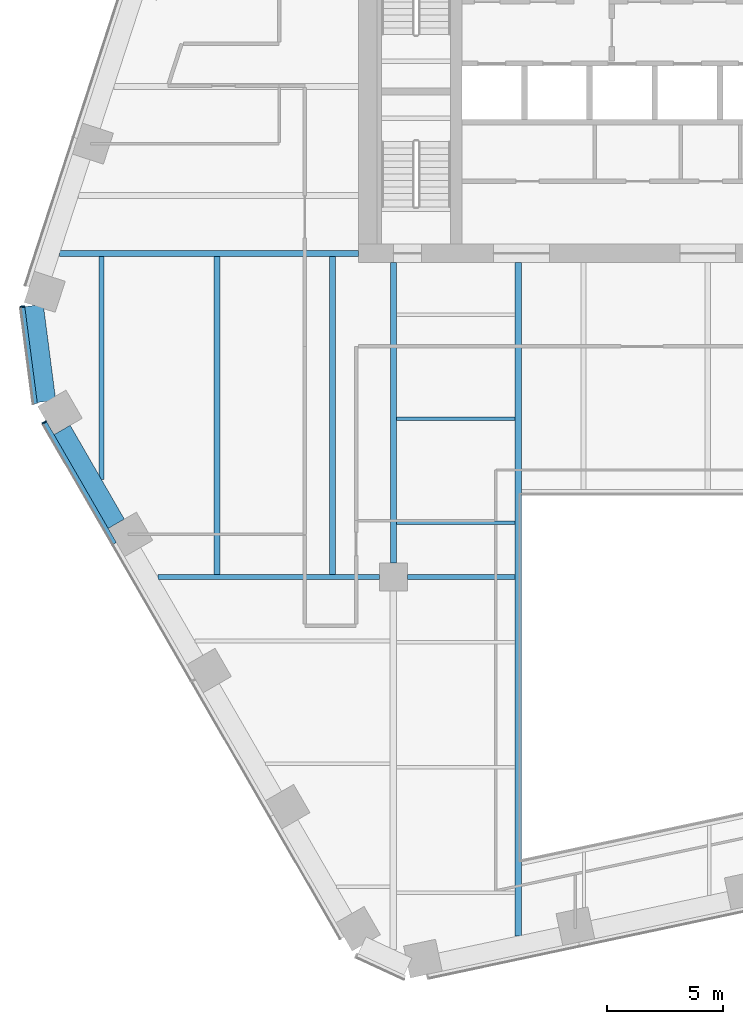
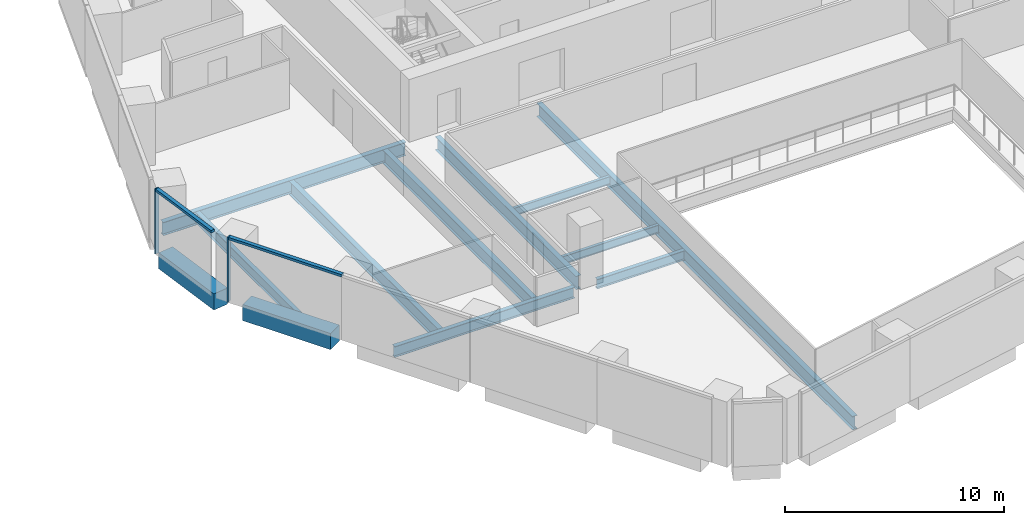
# One storey, part 3 of 16: 12 beams, 4 members, 2 elements without a shape of their own.
"""IFC4 building model written with IfcOpenShell, lengths in metres."""

from ifc_helpers import new_model, si_unit, direction, frame, origin, origin_2d, place, context, subcontext, project, spatial, rectangle, i_section, extrude, material, layer, layer_set, material_profile, profile_set, type_object, element, aggregate, save


model = new_model("IFC4")

# Units and contexts
model_context = context("Model", 3, precision=1e-05, world=origin(), true_north=direction((0.0, 1.0)))
body_context = subcontext(model_context, "Body", "Model", "MODEL_VIEW")
ifc_project = project(units=[si_unit("LENGTHUNIT", "METRE"), si_unit("AREAUNIT", "SQUARE_METRE"), si_unit("VOLUMEUNIT", "CUBIC_METRE"), si_unit("PLANEANGLEUNIT", "RADIAN"), si_unit("MASSUNIT", "GRAM", prefix="KILO")], contexts=[model_context])

# Site, building, storey
site_placement = place(None, origin())
site = spatial("IfcSite", under=ifc_project, at=site_placement, CompositionType="ELEMENT")
building_placement = place(site_placement, origin())
building = spatial("IfcBuilding", under=site, at=building_placement, Name="Isthmus Gate Tower", CompositionType="ELEMENT")
storey_placement = place(building_placement, frame((0.0, 0.0, 148.050048828125)))
storey = spatial("IfcBuildingStorey", under=building, at=storey_placement, Name="L36", CompositionType="ELEMENT", Elevation=148.050048828125)

# Curtain wall, member
ifc_material_1 = material(Name="Aluminium, pale champagne anodised", Category="aluminium")
ifc_layer = layer(ifc_material_1, 0.199951171875)
ifc_layer_set = layer_set([ifc_layer], Name="CW-1 UNITISED CURTAIN WALL 200 DEEP")
curtain_wall_type = type_object("IfcCurtainWallType", Name="CW-1 UNITISED CURTAIN WALL 200 DEEP", PredefinedType="NOTDEFINED", material=ifc_layer_set)
curtain_wall_1_placement = place(storey_placement, origin())
curtain_wall_1 = element("IfcCurtainWall", 1, at=curtain_wall_1_placement, inside=storey, type_object=curtain_wall_type, Name="CW-1 NW-SW L36", PredefinedType="NOTDEFINED")
ifc_material_2 = material(Name="Aluminium, pale champagne anodised", Category="aluminium")
ifc_material_profile_1 = material_profile(ifc_material_2, rectangle(XDim=0.06005859375, YDim=0.199951171875, at=origin_2d()), Name="60x200")
ifc_profile_set_1 = profile_set([ifc_material_profile_1], Name="Aluminium, pale champagne anodised")
member_type_1 = type_object("IfcMemberType", Name="CW-1 MULLION 60 X 200", PredefinedType="MULLION", material=ifc_profile_set_1)
member_1_placement = place(storey_placement, frame((-29.42724609375, -1.88525390625, 0.0), z_axis=(0.0, 0.0, 1.0), x_axis=(0.129164534, -0.991623175988, 0.0)))
member_1 = element("IfcMember", 2, at=member_1_placement, type_object=member_type_1, Name="CW-1 mullion", PredefinedType="MULLION", context=body_context, shape_type="SweptSolid", body=[
    extrude(rectangle(XDim=0.06005859375, YDim=0.199951171875, at=origin_2d()), origin(), (0.0, 0.0, 1.0), 3.64990234375),
])

curtain_wall_2_placement = place(storey_placement, origin())
curtain_wall_2 = element("IfcCurtainWall", 3, at=curtain_wall_2_placement, inside=storey, type_object=curtain_wall_type, Name="CW-1 SW L36", PredefinedType="NOTDEFINED")
member_2_placement = place(storey_placement, frame((-28.489501953125, -6.8544921875, 0.0), z_axis=(0.0, 0.0, 1.0), x_axis=(0.5, -0.866025403784, 0.0)))
member_2 = element("IfcMember", 4, at=member_2_placement, type_object=member_type_1, Name="CW-1 mullion", PredefinedType="MULLION", context=body_context, shape_type="SweptSolid", body=[
    extrude(rectangle(XDim=0.06005859375, YDim=0.199951171875, at=origin_2d()), origin(), (0.0, 0.0, 1.0), 3.64990234375),
])

# Member
ifc_material_3 = material(Name="Aluminium, pale champagne anodised", Category="aluminium")
ifc_material_profile_2 = material_profile(ifc_material_3, rectangle(XDim=0.199951171875, YDim=0.139892578125, at=origin_2d()), Name="200x140")
ifc_profile_set_2 = profile_set([ifc_material_profile_2], Name="Aluminium, pale champagne anodised")
member_type_2 = type_object("IfcMemberType", Name="CW-1 TRANSOM 200 X 140", PredefinedType="USERDEFINED", material=ifc_profile_set_2)
member_3_placement = place(storey_placement, frame((-29.42333984375, -1.9150390625, 3.579833984375), z_axis=(0.129149481977, -0.991625136483, 0.0), x_axis=(0.991625136483, 0.129149481977, 0.0)))
member_3 = element("IfcMember", 5, at=member_3_placement, type_object=member_type_2, Name="CW-1 transom", ObjectType="TRANSOM", PredefinedType="USERDEFINED", context=body_context, shape_type="SweptSolid", body=[
    extrude(rectangle(XDim=0.199951171875, YDim=0.139892578125, at=origin_2d()), origin(), (0.0, 0.0, 1.0), 4.181396484375),
])

aggregate(curtain_wall_1, [member_1, member_3])

member_4_placement = place(storey_placement, frame((-28.474609375, -6.880615234375, 3.579833984375), z_axis=(0.500014106551, -0.86601725921, 0.0), x_axis=(0.86601725921, 0.500014106551, 0.0)))
member_4 = element("IfcMember", 6, at=member_4_placement, type_object=member_type_2, Name="CW-1 transom", ObjectType="TRANSOM", PredefinedType="USERDEFINED", context=body_context, shape_type="SweptSolid", body=[
    extrude(rectangle(XDim=0.199951171875, YDim=0.139892578125, at=origin_2d()), origin(), (0.0, 0.0, 1.0), 5.989990234375),
])

aggregate(curtain_wall_2, [member_2, member_4])

# Beams
ifc_material_4 = material(Name="Concrete f'c 60 MPa", Category="concrete")
ifc_material_profile_3 = material_profile(ifc_material_4, rectangle(XDim=0.800048828125, YDim=0.89990234375, at=origin_2d()), Name="RC 800X900")
ifc_profile_set_3 = profile_set([ifc_material_profile_3], Name="Concrete f'c 60 MPa")
beam_type_1 = type_object("IfcBeamType", Name="RC SPANDREL 800 X 900", PredefinedType="SPANDREL", material=ifc_profile_set_3)
beam_1_placement = place(storey_placement, frame((-25.396484375, -11.2119140625, -0.449951171875), z_axis=(-0.500023913295, 0.866011596997, 0.0), x_axis=(-0.866011596997, -0.500023913295, 0.0)))
element("IfcBeam", 7, at=beam_1_placement, inside=storey, type_object=beam_type_1, Name="str-spandrel-L36-19", PredefinedType="SPANDREL", context=body_context, shape_type="SweptSolid", body=[
    extrude(rectangle(XDim=0.800048828125, YDim=0.89990234375, at=origin_2d()), origin(), (0.0, 0.0, 1.0), 4.650146484375),
])
beam_2_placement = place(storey_placement, frame((-28.392822265625, -5.955810546875, -0.449951171875), z_axis=(-0.129170777359, 0.991622362735, 0.0), x_axis=(-0.991622362735, -0.129170777359, 0.0)))
element("IfcBeam", 8, at=beam_2_placement, inside=storey, type_object=beam_type_1, Name="str-spandrel-L36-20", PredefinedType="SPANDREL", context=body_context, shape_type="SweptSolid", body=[
    extrude(rectangle(XDim=0.800048828125, YDim=0.89990234375, at=origin_2d()), origin(), (0.0, 0.0, 1.0), 4.15234375),
])
ifc_material_5 = material(Name="Structural steel ASTM A992 Gr 50", Category="steel")
ifc_material_profile_4 = material_profile(ifc_material_5, i_section(OverallWidth=0.15234375, OverallDepth=0.45068359375, WebThickness=0.0078125, FlangeThickness=0.010986328125, at=origin_2d()), Name="W18X35")
ifc_profile_set_4 = profile_set([ifc_material_profile_4], Name="Structural steel ASTM A992 Gr 50")
beam_type_2 = type_object("IfcBeamType", Name="STEEL FLOOR BEAM W18X35", PredefinedType="JOIST", material=ifc_profile_set_4)
for number, where, z_axis, x_axis, name in (
    (9, (-13.3681640625, -11.16259765625, -0.37548828125), (1.0, 0.0, 0.0), (0.0, 1.0, 0.0), "str-beam-L36-04-00"),
    (10, (-13.3681640625, -6.697509765625, -0.37548828125), (1.0, 0.0, 0.0), (0.0, 1.0, 0.0), "str-beam-L36-04-01"),
):
    element("IfcBeam", number, at=place(storey_placement, frame(where, z_axis=z_axis, x_axis=x_axis)), inside=storey, type_object=beam_type_2, Name=name, PredefinedType="JOIST", context=body_context, shape_type="SweptSolid", body=[
        extrude(i_section(OverallWidth=0.15234375, OverallDepth=0.45068359375, WebThickness=0.0078125, FlangeThickness=0.010986328125, at=origin_2d()), origin(), (0.0, 0.0, 1.0), 5.1015625),
    ])
ifc_material_6 = material(Name="Structural steel ASTM A992 Gr 50", Category="steel")
ifc_material_profile_5 = material_profile(ifc_material_6, i_section(OverallWidth=0.228515625, OverallDepth=0.603271484375, WebThickness=0.010986328125, FlangeThickness=0.014404296875, at=origin_2d()), Name="W24X68")
ifc_profile_set_5 = profile_set([ifc_material_profile_5], Name="Structural steel ASTM A992 Gr 50")
beam_type_3 = type_object("IfcBeamType", Name="STEEL FLOOR BEAM W24X68", PredefinedType="JOIST", material=ifc_profile_set_5)
beam_3_placement = place(storey_placement, frame((-26.028564453125, -9.317138671875, -0.45166015625), z_axis=(0.0, 1.0, 0.0), x_axis=(-1.0, 0.0, 0.0)))
element("IfcBeam", 11, at=beam_3_placement, inside=storey, type_object=beam_type_3, Name="str-beam-L36-00-00", PredefinedType="JOIST", context=body_context, shape_type="SweptSolid", body=[
    extrude(i_section(OverallWidth=0.228515625, OverallDepth=0.603271484375, WebThickness=0.010986328125, FlangeThickness=0.014404296875, at=origin_2d()), origin(), (0.0, 0.0, 1.0), 9.58544921875),
])
ifc_material_7 = material(Name="Structural steel ASTM A992 Gr 50", Category="steel")
ifc_material_profile_6 = material_profile(ifc_material_7, i_section(OverallWidth=0.263427734375, OverallDepth=0.749267578125, WebThickness=0.0126953125, FlangeThickness=0.015869140625, at=origin_2d()), Name="W30X90")
ifc_profile_set_6 = profile_set([ifc_material_profile_6], Name="Structural steel ASTM A992 Gr 50")
beam_type_4 = type_object("IfcBeamType", Name="STEEL FLOOR BEAM W30X90", PredefinedType="JOIST", material=ifc_profile_set_6)
for number, where, z_axis, x_axis, name in (
    (12, (-21.06982421875, -13.3857421875, -0.524658203125), (0.0, 1.0, 0.0), (-1.0, 0.0, 0.0), "str-beam-L36-00-01"),
    (13, (-16.111083984375, -13.3857421875, -0.524658203125), (0.0, 1.0, 0.0), (-1.0, 0.0, 0.0), "str-beam-L36-00-02"),
):
    element("IfcBeam", number, at=place(storey_placement, frame(where, z_axis=z_axis, x_axis=x_axis)), inside=storey, type_object=beam_type_4, Name=name, PredefinedType="JOIST", context=body_context, shape_type="SweptSolid", body=[
        extrude(i_section(OverallWidth=0.263427734375, OverallDepth=0.749267578125, WebThickness=0.0126953125, FlangeThickness=0.015869140625, at=origin_2d()), origin(), (0.0, 0.0, 1.0), 13.654052734375),
    ])
ifc_material_8 = material(Name="Structural steel ASTM A992 Gr 50", Category="steel")
ifc_material_profile_7 = material_profile(ifc_material_8, i_section(OverallWidth=0.20947265625, OverallDepth=0.533447265625, WebThickness=0.009521484375, FlangeThickness=0.015869140625, at=origin_2d()), Name="W21X62")
ifc_profile_set_7 = profile_set([ifc_material_profile_7], Name="Structural steel ASTM A992 Gr 50")
beam_type_5 = type_object("IfcBeamType", Name="STEEL GIRDER W21X62", PredefinedType="BEAM", material=ifc_profile_set_7)
beam_4_placement = place(storey_placement, frame((-12.89990234375, -13.5, -0.416748046875), z_axis=(1.0, 0.0, 0.0), x_axis=(0.0, 1.0, 0.0)))
element("IfcBeam", 14, at=beam_4_placement, inside=storey, type_object=beam_type_5, Name="str-girder-L36-02", PredefinedType="BEAM", context=body_context, shape_type="SweptSolid", body=[
    extrude(i_section(OverallWidth=0.20947265625, OverallDepth=0.533447265625, WebThickness=0.009521484375, FlangeThickness=0.015869140625, at=origin_2d()), origin(), (0.0, 0.0, 1.0), 4.63330078125),
])
ifc_material_9 = material(Name="Structural steel ASTM A992 Gr 50", Category="steel")
ifc_material_profile_8 = material_profile(ifc_material_9, i_section(OverallWidth=0.228515625, OverallDepth=0.6064453125, WebThickness=0.010986328125, FlangeThickness=0.017578125, at=origin_2d()), Name="W24X76")
ifc_profile_set_8 = profile_set([ifc_material_profile_8], Name="Structural steel ASTM A992 Gr 50")
beam_type_6 = type_object("IfcBeamType", Name="STEEL GIRDER W24X76", PredefinedType="BEAM", material=ifc_profile_set_8)
beam_5_placement = place(storey_placement, frame((-23.613525390625, -13.5, -0.453369140625), z_axis=(1.0, 0.0, 0.0), x_axis=(0.0, 1.0, 0.0)))
element("IfcBeam", 15, at=beam_5_placement, inside=storey, type_object=beam_type_6, Name="str-girder-L36-01", PredefinedType="BEAM", context=body_context, shape_type="SweptSolid", body=[
    extrude(i_section(OverallWidth=0.228515625, OverallDepth=0.6064453125, WebThickness=0.010986328125, FlangeThickness=0.017578125, at=origin_2d()), origin(), (0.0, 0.0, 1.0), 9.513427734375),
])
ifc_material_10 = material(Name="Structural steel ASTM A992 Gr 50", Category="steel")
ifc_material_profile_9 = material_profile(ifc_material_10, i_section(OverallWidth=0.263427734375, OverallDepth=0.749267578125, WebThickness=0.0126953125, FlangeThickness=0.015869140625, at=origin_2d()), Name="W30X90")
ifc_profile_set_9 = profile_set([ifc_material_profile_9], Name="Structural steel ASTM A992 Gr 50")
beam_type_7 = type_object("IfcBeamType", Name="STEEL GIRDER W30X90", PredefinedType="BEAM", material=ifc_profile_set_9)
beam_6_placement = place(storey_placement, frame((-13.5, -12.89990234375, -0.524658203125), z_axis=(0.0, 1.0, 0.0), x_axis=(-1.0, 0.0, 0.0)))
element("IfcBeam", 16, at=beam_6_placement, inside=storey, type_object=beam_type_7, Name="str-girder-L36-08", PredefinedType="BEAM", context=body_context, shape_type="SweptSolid", body=[
    extrude(i_section(OverallWidth=0.263427734375, OverallDepth=0.749267578125, WebThickness=0.0126953125, FlangeThickness=0.015869140625, at=origin_2d()), origin(), (0.0, 0.0, 1.0), 12.89990234375),
])
beam_7_placement = place(storey_placement, frame((-15.0, 0.39990234375, -0.524658203125), z_axis=(-1.0, 0.0, 0.0), x_axis=(0.0, -1.0, 0.0)))
element("IfcBeam", 17, at=beam_7_placement, inside=storey, type_object=beam_type_7, Name="str-girder-L36-13", PredefinedType="BEAM", context=body_context, shape_type="SweptSolid", body=[
    extrude(i_section(OverallWidth=0.263427734375, OverallDepth=0.749267578125, WebThickness=0.0126953125, FlangeThickness=0.015869140625, at=origin_2d()), origin(), (0.0, 0.0, 1.0), 12.826416015625),
])
ifc_material_11 = material(Name="Structural steel ASTM A992 Gr 50", Category="steel")
ifc_material_profile_10 = material_profile(ifc_material_11, i_section(OverallWidth=0.2666015625, OverallDepth=0.7587890625, WebThickness=0.014404296875, FlangeThickness=0.01904296875, at=origin_2d()), Name="W30X108")
ifc_profile_set_10 = profile_set([ifc_material_profile_10], Name="Structural steel ASTM A992 Gr 50")
beam_type_8 = type_object("IfcBeamType", Name="STEEL TRIMMER W30X108", PredefinedType="BEAM", material=ifc_profile_set_10)
beam_8_placement = place(storey_placement, frame((-8.13330078125, 0.0, -0.529541015625), z_axis=(0.0, -1.0, 0.0), x_axis=(1.0, 0.0, 0.0)))
element("IfcBeam", 18, at=beam_8_placement, inside=storey, type_object=beam_type_8, Name="str-trimmer-L36-02", PredefinedType="BEAM", context=body_context, shape_type="SweptSolid", body=[
    extrude(i_section(OverallWidth=0.2666015625, OverallDepth=0.7587890625, WebThickness=0.014404296875, FlangeThickness=0.01904296875, at=origin_2d()), origin(), (0.0, 0.0, 1.0), 28.910888671875),
])

save(model, "model.ifc")
